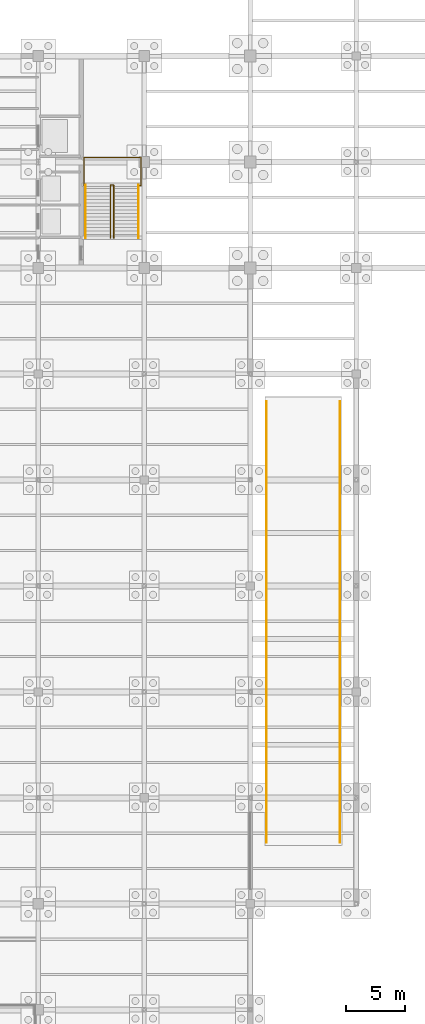
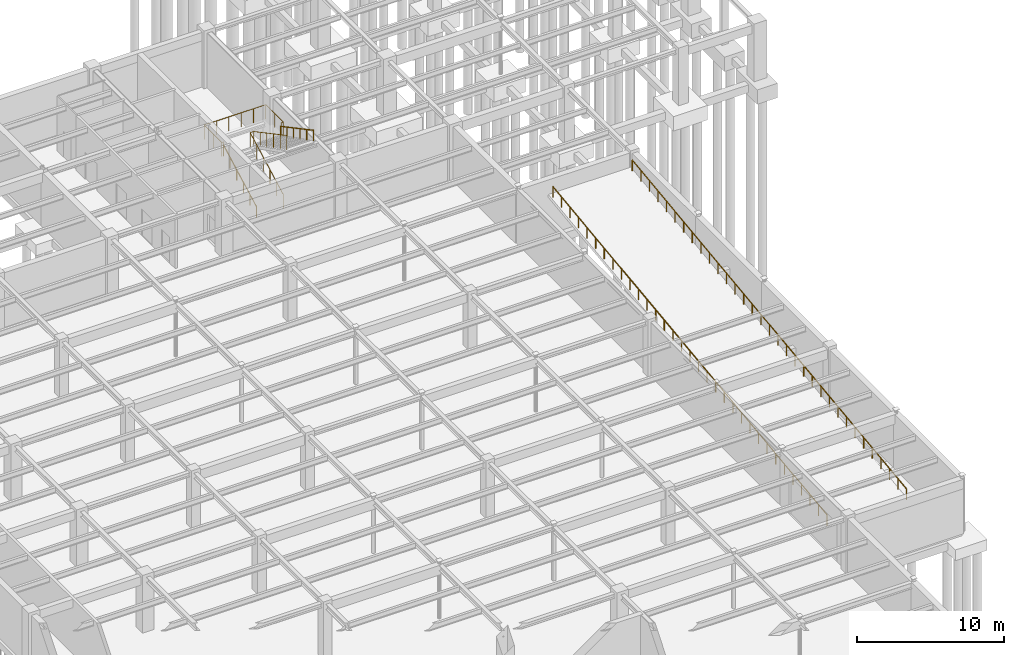
# One storey, part 48 of 49: 6 railings.
"""IFC4 building model written with IfcOpenShell, lengths in metres."""

from ifc_helpers import new_model, si_unit, direction, frame, origin, origin_2d, place, context, subcontext, project, spatial, circle, extrude, material, type_object, element, save


model = new_model("IFC4")

# Units and contexts
model_context = context("Model", 3, precision=1e-05, world=origin(), true_north=direction((0.0, 1.0)))
body_context = subcontext(model_context, "Body", "Model", "MODEL_VIEW")
ifc_project = project(units=[si_unit("LENGTHUNIT", "METRE"), si_unit("AREAUNIT", "SQUARE_METRE"), si_unit("VOLUMEUNIT", "CUBIC_METRE"), si_unit("PLANEANGLEUNIT", "RADIAN"), si_unit("MASSUNIT", "GRAM", prefix="KILO")], contexts=[model_context])

# Site, building, storey
site_placement = place(None, origin())
site = spatial("IfcSite", under=ifc_project, at=site_placement, CompositionType="ELEMENT")
building_placement = place(site_placement, origin())
building = spatial("IfcBuilding", under=site, at=building_placement, Name="Lykobir Media Centre", CompositionType="ELEMENT")
storey_placement = place(building_placement, frame((0.0, 0.0, -4.800048828125)))
storey = spatial("IfcBuildingStorey", under=building, at=storey_placement, Name="B1", CompositionType="ELEMENT", Elevation=-4.800048828125)

# Railings
ifc_material = material(Name="Steel S355", Category="steel")
railing_type_1 = type_object("IfcRailingType", Name="GR-1200", PredefinedType="BALUSTRADE", material=ifc_material)
railing_1_placement = place(storey_placement, frame((132.1298828125, 74.530029296875, 0.0)))
element("IfcRailing", 1, at=railing_1_placement, inside=storey, type_object=railing_type_1, Name="ST-4 B1 inner well and slot guard", PredefinedType="BALUSTRADE", context=body_context, shape_type="SweptSolid", body=[
    extrude(circle(Radius=0.02392578125, at=origin_2d()), frame((0.0, 0.0, 1.17578125), z_axis=(0.0, 0.882341014787, 0.470610596591), x_axis=(-1.0, 0.0, 0.0)), (0.0, 0.0, 1.0), 5.10009765625),
    extrude(circle(Radius=0.02392578125, at=origin_2d()), frame((0.0, 4.5, 3.576171875), z_axis=(1.0, 0.0, 0.0), x_axis=(0.0, 1.0, 0.0)), (0.0, 0.0, 1.0), 0.280029296875),
    extrude(circle(Radius=0.02392578125, at=origin_2d()), frame((0.280029296875, 4.5, 3.576171875), z_axis=(0.0, -0.882360891967, 0.470573327259), x_axis=(1.0, 0.0, 0.0)), (0.0, 0.0, 1.0), 5.099853515625),
    extrude(circle(Radius=0.02099609375, at=origin_2d()), origin(), (0.0, 0.0, 1.0), 1.15185546875),
    extrude(circle(Radius=0.02099609375, at=origin_2d()), frame((0.0, 0.89990234375, 0.47998046875)), (0.0, 0.0, 1.0), 1.15185546875),
    extrude(circle(Radius=0.02099609375, at=origin_2d()), frame((0.0, 1.800048828125, 0.9599609375)), (0.0, 0.0, 1.0), 1.15185546875),
    extrude(circle(Radius=0.02099609375, at=origin_2d()), frame((0.0, 2.699951171875, 1.440185546875)), (0.0, 0.0, 1.0), 1.15185546875),
    extrude(circle(Radius=0.02099609375, at=origin_2d()), frame((0.0, 3.60009765625, 1.920166015625)), (0.0, 0.0, 1.0), 1.15185546875),
    extrude(circle(Radius=0.02099609375, at=origin_2d()), frame((0.0, 4.5, 2.400146484375)), (0.0, 0.0, 1.0), 1.15185546875),
    extrude(circle(Radius=0.02099609375, at=origin_2d()), frame((0.280029296875, 4.5, 2.400146484375)), (0.0, 0.0, 1.0), 1.15185546875),
    extrude(circle(Radius=0.02099609375, at=origin_2d()), frame((0.280029296875, 3.60009765625, 2.880126953125)), (0.0, 0.0, 1.0), 1.15185546875),
    extrude(circle(Radius=0.02099609375, at=origin_2d()), frame((0.280029296875, 2.699951171875, 3.360107421875)), (0.0, 0.0, 1.0), 1.15185546875),
    extrude(circle(Radius=0.02099609375, at=origin_2d()), frame((0.280029296875, 1.800048828125, 3.840087890625)), (0.0, 0.0, 1.0), 1.15185546875),
    extrude(circle(Radius=0.02099609375, at=origin_2d()), frame((0.280029296875, 0.89990234375, 4.320068359375)), (0.0, 0.0, 1.0), 1.15185546875),
    extrude(circle(Radius=0.02099609375, at=origin_2d()), frame((0.280029296875, 0.0, 4.800048828125)), (0.0, 0.0, 1.0), 1.15185546875),
])
railing_2_placement = place(storey_placement, frame((129.989990234375, 78.989990234375, 2.400146484375)))
element("IfcRailing", 2, at=railing_2_placement, inside=storey, type_object=railing_type_1, Name="ST-4 B1 half-landing perimeter guard", PredefinedType="BALUSTRADE", context=body_context, shape_type="SweptSolid", body=[
    extrude(circle(Radius=0.02392578125, at=origin_2d()), frame((0.0, 0.0, 1.17578125), z_axis=(-1.0, 0.0, 0.0), x_axis=(0.0, -1.0, 0.0)), (0.0, 0.0, 1.0), 0.110107421875),
    extrude(circle(Radius=0.02392578125, at=origin_2d()), frame((-0.110107421875, 0.0, 1.17578125), z_axis=(0.0, 1.0, 0.0), x_axis=(-1.0, 0.0, 0.0)), (0.0, 0.0, 1.0), 2.39990234375),
    extrude(circle(Radius=0.02392578125, at=origin_2d()), frame((-0.110107421875, 2.39990234375, 1.17578125), z_axis=(1.0, 0.0, 0.0), x_axis=(0.0, 1.0, 0.0)), (0.0, 0.0, 1.0), 4.840087890625),
    extrude(circle(Radius=0.02392578125, at=origin_2d()), frame((4.72998046875, 2.39990234375, 1.17578125), z_axis=(0.0, -1.0, 0.0), x_axis=(1.0, 0.0, 0.0)), (0.0, 0.0, 1.0), 2.39990234375),
    extrude(circle(Radius=0.02392578125, at=origin_2d()), frame((4.72998046875, 0.0, 1.17578125), z_axis=(-1.0, 0.0, 0.0), x_axis=(0.0, -1.0, 0.0)), (0.0, 0.0, 1.0), 0.169921875),
    extrude(circle(Radius=0.02099609375, at=origin_2d()), origin(), (0.0, 0.0, 1.0), 1.15185546875),
    extrude(circle(Radius=0.02099609375, at=origin_2d()), frame((-0.110107421875, 0.0, 0.0)), (0.0, 0.0, 1.0), 1.15185546875),
    extrude(circle(Radius=0.02099609375, at=origin_2d()), frame((-0.110107421875, 1.199951171875, 0.0)), (0.0, 0.0, 1.0), 1.15185546875),
    extrude(circle(Radius=0.02099609375, at=origin_2d()), frame((-0.110107421875, 2.39990234375, 0.0)), (0.0, 0.0, 1.0), 1.15185546875),
    extrude(circle(Radius=0.02099609375, at=origin_2d()), frame((0.85791015625, 2.39990234375, 0.0)), (0.0, 0.0, 1.0), 1.15185546875),
    extrude(circle(Radius=0.02099609375, at=origin_2d()), frame((1.825927734375, 2.39990234375, 0.0)), (0.0, 0.0, 1.0), 1.15185546875),
    extrude(circle(Radius=0.02099609375, at=origin_2d()), frame((2.7939453125, 2.39990234375, 0.0)), (0.0, 0.0, 1.0), 1.15185546875),
    extrude(circle(Radius=0.02099609375, at=origin_2d()), frame((3.761962890625, 2.39990234375, 0.0)), (0.0, 0.0, 1.0), 1.15185546875),
    extrude(circle(Radius=0.02099609375, at=origin_2d()), frame((4.72998046875, 2.39990234375, 0.0)), (0.0, 0.0, 1.0), 1.15185546875),
    extrude(circle(Radius=0.02099609375, at=origin_2d()), frame((4.72998046875, 1.199951171875, 0.0)), (0.0, 0.0, 1.0), 1.15185546875),
    extrude(circle(Radius=0.02099609375, at=origin_2d()), frame((4.72998046875, 0.0, 0.0)), (0.0, 0.0, 1.0), 1.15185546875),
    extrude(circle(Radius=0.02099609375, at=origin_2d()), frame((4.56005859375, 0.0, 0.0)), (0.0, 0.0, 1.0), 1.15185546875),
])
railing_type_2 = type_object("IfcRailingType", Name="HR-0900", PredefinedType="HANDRAIL", material=ifc_material)
railing_3_placement = place(storey_placement, frame((130.030029296875, 74.530029296875, 0.0)))
element("IfcRailing", 3, at=railing_3_placement, inside=storey, type_object=railing_type_2, Name="ST-4 B1 F1 wall handrail", PredefinedType="HANDRAIL", context=body_context, shape_type="SweptSolid", body=[
    extrude(circle(Radius=0.02392578125, at=origin_2d()), frame((0.0, 0.0, 0.8759765625), z_axis=(0.0, 0.882341014787, 0.470610596591), x_axis=(-1.0, 0.0, 0.0)), (0.0, 0.0, 1.0), 5.10009765625),
    extrude(circle(Radius=0.02099609375, at=origin_2d()), origin(), (0.0, 0.0, 1.0), 0.851806640625),
    extrude(circle(Radius=0.02099609375, at=origin_2d()), frame((0.0, 0.89990234375, 0.47998046875)), (0.0, 0.0, 1.0), 0.851806640625),
    extrude(circle(Radius=0.02099609375, at=origin_2d()), frame((0.0, 1.800048828125, 0.9599609375)), (0.0, 0.0, 1.0), 0.851806640625),
    extrude(circle(Radius=0.02099609375, at=origin_2d()), frame((0.0, 2.699951171875, 1.440185546875)), (0.0, 0.0, 1.0), 0.851806640625),
    extrude(circle(Radius=0.02099609375, at=origin_2d()), frame((0.0, 3.60009765625, 1.920166015625)), (0.0, 0.0, 1.0), 0.851806640625),
    extrude(circle(Radius=0.02099609375, at=origin_2d()), frame((0.0, 4.5, 2.400146484375)), (0.0, 0.0, 1.0), 0.851806640625),
])
railing_4_placement = place(storey_placement, frame((134.510009765625, 79.030029296875, 2.400146484375)))
element("IfcRailing", 4, at=railing_4_placement, inside=storey, type_object=railing_type_2, Name="ST-4 B1 F2 wall handrail", PredefinedType="HANDRAIL", context=body_context, shape_type="SweptSolid", body=[
    extrude(circle(Radius=0.02392578125, at=origin_2d()), frame((0.0, 0.0, 0.8759765625), z_axis=(0.0, -0.882360891967, 0.470573327259), x_axis=(1.0, 0.0, 0.0)), (0.0, 0.0, 1.0), 5.099853515625),
    extrude(circle(Radius=0.02099609375, at=origin_2d()), origin(), (0.0, 0.0, 1.0), 0.851806640625),
    extrude(circle(Radius=0.02099609375, at=origin_2d()), frame((0.0, -0.89990234375, 0.47998046875)), (0.0, 0.0, 1.0), 0.851806640625),
    extrude(circle(Radius=0.02099609375, at=origin_2d()), frame((0.0, -1.800048828125, 0.9599609375)), (0.0, 0.0, 1.0), 0.851806640625),
    extrude(circle(Radius=0.02099609375, at=origin_2d()), frame((0.0, -2.699951171875, 1.43994140625)), (0.0, 0.0, 1.0), 0.851806640625),
    extrude(circle(Radius=0.02099609375, at=origin_2d()), frame((0.0, -3.60009765625, 1.919921875)), (0.0, 0.0, 1.0), 0.851806640625),
    extrude(circle(Radius=0.02099609375, at=origin_2d()), frame((0.0, -4.5, 2.39990234375)), (0.0, 0.0, 1.0), 0.851806640625),
])
railing_5_placement = place(storey_placement, frame((145.3701171875, 23.199951171875, 0.050048828125)))
element("IfcRailing", 5, at=railing_5_placement, inside=storey, type_object=railing_type_2, Name="Vehicle ramp west handrail", PredefinedType="HANDRAIL", context=body_context, shape_type="SweptSolid", body=[
    extrude(circle(Radius=0.02392578125, at=origin_2d()), frame((0.0, 0.0, 0.8759765625), z_axis=(0.0, 0.992282155486, 0.124000499615), x_axis=(-1.0, 0.0, 0.0)), (0.0, 0.0, 1.0), 37.7412109375),
    extrude(circle(Radius=0.02099609375, at=origin_2d()), origin(), (0.0, 0.0, 1.0), 0.851806640625),
    extrude(circle(Radius=0.02099609375, at=origin_2d()), frame((0.0, 1.17041015625, 0.146240234375)), (0.0, 0.0, 1.0), 0.851806640625),
    extrude(circle(Radius=0.02099609375, at=origin_2d()), frame((0.0, 2.340576171875, 0.29248046875)), (0.0, 0.0, 1.0), 0.851806640625),
    extrude(circle(Radius=0.02099609375, at=origin_2d()), frame((0.0, 3.510986328125, 0.438720703125)), (0.0, 0.0, 1.0), 0.851806640625),
    extrude(circle(Radius=0.02099609375, at=origin_2d()), frame((0.0, 4.68115234375, 0.5849609375)), (0.0, 0.0, 1.0), 0.851806640625),
    extrude(circle(Radius=0.02099609375, at=origin_2d()), frame((0.0, 5.8515625, 0.731201171875)), (0.0, 0.0, 1.0), 0.851806640625),
    extrude(circle(Radius=0.02099609375, at=origin_2d()), frame((0.0, 7.02197265625, 0.87744140625)), (0.0, 0.0, 1.0), 0.851806640625),
    extrude(circle(Radius=0.02099609375, at=origin_2d()), frame((0.0, 8.192138671875, 1.023681640625)), (0.0, 0.0, 1.0), 0.851806640625),
    extrude(circle(Radius=0.02099609375, at=origin_2d()), frame((0.0, 9.362548828125, 1.169921875)), (0.0, 0.0, 1.0), 0.851806640625),
    extrude(circle(Radius=0.02099609375, at=origin_2d()), frame((0.0, 10.53271484375, 1.316162109375)), (0.0, 0.0, 1.0), 0.851806640625),
    extrude(circle(Radius=0.02099609375, at=origin_2d()), frame((0.0, 11.703125, 1.46240234375)), (0.0, 0.0, 1.0), 0.851806640625),
    extrude(circle(Radius=0.02099609375, at=origin_2d()), frame((0.0, 12.87353515625, 1.608642578125)), (0.0, 0.0, 1.0), 0.851806640625),
    extrude(circle(Radius=0.02099609375, at=origin_2d()), frame((0.0, 14.043701171875, 1.7548828125)), (0.0, 0.0, 1.0), 0.851806640625),
    extrude(circle(Radius=0.02099609375, at=origin_2d()), frame((0.0, 15.214111328125, 1.901123046875)), (0.0, 0.0, 1.0), 0.851806640625),
    extrude(circle(Radius=0.02099609375, at=origin_2d()), frame((0.0, 16.38427734375, 2.04736328125)), (0.0, 0.0, 1.0), 0.851806640625),
    extrude(circle(Radius=0.02099609375, at=origin_2d()), frame((0.0, 17.5546875, 2.193603515625)), (0.0, 0.0, 1.0), 0.851806640625),
    extrude(circle(Radius=0.02099609375, at=origin_2d()), frame((0.0, 18.72509765625, 2.33984375)), (0.0, 0.0, 1.0), 0.851806640625),
    extrude(circle(Radius=0.02099609375, at=origin_2d()), frame((0.0, 19.895263671875, 2.486328125)), (0.0, 0.0, 1.0), 0.851806640625),
    extrude(circle(Radius=0.02099609375, at=origin_2d()), frame((0.0, 21.065673828125, 2.632568359375)), (0.0, 0.0, 1.0), 0.851806640625),
    extrude(circle(Radius=0.02099609375, at=origin_2d()), frame((0.0, 22.23583984375, 2.77880859375)), (0.0, 0.0, 1.0), 0.851806640625),
    extrude(circle(Radius=0.02099609375, at=origin_2d()), frame((0.0, 23.40625, 2.925048828125)), (0.0, 0.0, 1.0), 0.851806640625),
    extrude(circle(Radius=0.02099609375, at=origin_2d()), frame((0.0, 24.576416015625, 3.0712890625)), (0.0, 0.0, 1.0), 0.851806640625),
    extrude(circle(Radius=0.02099609375, at=origin_2d()), frame((0.0, 25.746826171875, 3.217529296875)), (0.0, 0.0, 1.0), 0.851806640625),
    extrude(circle(Radius=0.02099609375, at=origin_2d()), frame((0.0, 26.917236328125, 3.36376953125)), (0.0, 0.0, 1.0), 0.851806640625),
    extrude(circle(Radius=0.02099609375, at=origin_2d()), frame((0.0, 28.08740234375, 3.510009765625)), (0.0, 0.0, 1.0), 0.851806640625),
    extrude(circle(Radius=0.02099609375, at=origin_2d()), frame((0.0, 29.2578125, 3.65625)), (0.0, 0.0, 1.0), 0.851806640625),
    extrude(circle(Radius=0.02099609375, at=origin_2d()), frame((0.0, 30.427978515625, 3.802490234375)), (0.0, 0.0, 1.0), 0.851806640625),
    extrude(circle(Radius=0.02099609375, at=origin_2d()), frame((0.0, 31.598388671875, 3.94873046875)), (0.0, 0.0, 1.0), 0.851806640625),
    extrude(circle(Radius=0.02099609375, at=origin_2d()), frame((0.0, 32.768798828125, 4.094970703125)), (0.0, 0.0, 1.0), 0.851806640625),
    extrude(circle(Radius=0.02099609375, at=origin_2d()), frame((0.0, 33.93896484375, 4.2412109375)), (0.0, 0.0, 1.0), 0.851806640625),
    extrude(circle(Radius=0.02099609375, at=origin_2d()), frame((0.0, 35.109375, 4.387451171875)), (0.0, 0.0, 1.0), 0.851806640625),
    extrude(circle(Radius=0.02099609375, at=origin_2d()), frame((0.0, 36.279541015625, 4.53369140625)), (0.0, 0.0, 1.0), 0.851806640625),
    extrude(circle(Radius=0.02099609375, at=origin_2d()), frame((0.0, 37.449951171875, 4.679931640625)), (0.0, 0.0, 1.0), 0.851806640625),
])
railing_6_placement = place(storey_placement, frame((151.6298828125, 23.199951171875, 0.050048828125)))
element("IfcRailing", 6, at=railing_6_placement, inside=storey, type_object=railing_type_2, Name="Vehicle ramp east handrail", PredefinedType="HANDRAIL", context=body_context, shape_type="SweptSolid", body=[
    extrude(circle(Radius=0.02392578125, at=origin_2d()), frame((0.0, 0.0, 0.8759765625), z_axis=(0.0, 0.992282155486, 0.124000499615), x_axis=(-1.0, 0.0, 0.0)), (0.0, 0.0, 1.0), 37.7412109375),
    extrude(circle(Radius=0.02099609375, at=origin_2d()), origin(), (0.0, 0.0, 1.0), 0.851806640625),
    extrude(circle(Radius=0.02099609375, at=origin_2d()), frame((0.0, 1.17041015625, 0.146240234375)), (0.0, 0.0, 1.0), 0.851806640625),
    extrude(circle(Radius=0.02099609375, at=origin_2d()), frame((0.0, 2.340576171875, 0.29248046875)), (0.0, 0.0, 1.0), 0.851806640625),
    extrude(circle(Radius=0.02099609375, at=origin_2d()), frame((0.0, 3.510986328125, 0.438720703125)), (0.0, 0.0, 1.0), 0.851806640625),
    extrude(circle(Radius=0.02099609375, at=origin_2d()), frame((0.0, 4.68115234375, 0.5849609375)), (0.0, 0.0, 1.0), 0.851806640625),
    extrude(circle(Radius=0.02099609375, at=origin_2d()), frame((0.0, 5.8515625, 0.731201171875)), (0.0, 0.0, 1.0), 0.851806640625),
    extrude(circle(Radius=0.02099609375, at=origin_2d()), frame((0.0, 7.02197265625, 0.87744140625)), (0.0, 0.0, 1.0), 0.851806640625),
    extrude(circle(Radius=0.02099609375, at=origin_2d()), frame((0.0, 8.192138671875, 1.023681640625)), (0.0, 0.0, 1.0), 0.851806640625),
    extrude(circle(Radius=0.02099609375, at=origin_2d()), frame((0.0, 9.362548828125, 1.169921875)), (0.0, 0.0, 1.0), 0.851806640625),
    extrude(circle(Radius=0.02099609375, at=origin_2d()), frame((0.0, 10.53271484375, 1.316162109375)), (0.0, 0.0, 1.0), 0.851806640625),
    extrude(circle(Radius=0.02099609375, at=origin_2d()), frame((0.0, 11.703125, 1.46240234375)), (0.0, 0.0, 1.0), 0.851806640625),
    extrude(circle(Radius=0.02099609375, at=origin_2d()), frame((0.0, 12.87353515625, 1.608642578125)), (0.0, 0.0, 1.0), 0.851806640625),
    extrude(circle(Radius=0.02099609375, at=origin_2d()), frame((0.0, 14.043701171875, 1.7548828125)), (0.0, 0.0, 1.0), 0.851806640625),
    extrude(circle(Radius=0.02099609375, at=origin_2d()), frame((0.0, 15.214111328125, 1.901123046875)), (0.0, 0.0, 1.0), 0.851806640625),
    extrude(circle(Radius=0.02099609375, at=origin_2d()), frame((0.0, 16.38427734375, 2.04736328125)), (0.0, 0.0, 1.0), 0.851806640625),
    extrude(circle(Radius=0.02099609375, at=origin_2d()), frame((0.0, 17.5546875, 2.193603515625)), (0.0, 0.0, 1.0), 0.851806640625),
    extrude(circle(Radius=0.02099609375, at=origin_2d()), frame((0.0, 18.72509765625, 2.33984375)), (0.0, 0.0, 1.0), 0.851806640625),
    extrude(circle(Radius=0.02099609375, at=origin_2d()), frame((0.0, 19.895263671875, 2.486328125)), (0.0, 0.0, 1.0), 0.851806640625),
    extrude(circle(Radius=0.02099609375, at=origin_2d()), frame((0.0, 21.065673828125, 2.632568359375)), (0.0, 0.0, 1.0), 0.851806640625),
    extrude(circle(Radius=0.02099609375, at=origin_2d()), frame((0.0, 22.23583984375, 2.77880859375)), (0.0, 0.0, 1.0), 0.851806640625),
    extrude(circle(Radius=0.02099609375, at=origin_2d()), frame((0.0, 23.40625, 2.925048828125)), (0.0, 0.0, 1.0), 0.851806640625),
    extrude(circle(Radius=0.02099609375, at=origin_2d()), frame((0.0, 24.576416015625, 3.0712890625)), (0.0, 0.0, 1.0), 0.851806640625),
    extrude(circle(Radius=0.02099609375, at=origin_2d()), frame((0.0, 25.746826171875, 3.217529296875)), (0.0, 0.0, 1.0), 0.851806640625),
    extrude(circle(Radius=0.02099609375, at=origin_2d()), frame((0.0, 26.917236328125, 3.36376953125)), (0.0, 0.0, 1.0), 0.851806640625),
    extrude(circle(Radius=0.02099609375, at=origin_2d()), frame((0.0, 28.08740234375, 3.510009765625)), (0.0, 0.0, 1.0), 0.851806640625),
    extrude(circle(Radius=0.02099609375, at=origin_2d()), frame((0.0, 29.2578125, 3.65625)), (0.0, 0.0, 1.0), 0.851806640625),
    extrude(circle(Radius=0.02099609375, at=origin_2d()), frame((0.0, 30.427978515625, 3.802490234375)), (0.0, 0.0, 1.0), 0.851806640625),
    extrude(circle(Radius=0.02099609375, at=origin_2d()), frame((0.0, 31.598388671875, 3.94873046875)), (0.0, 0.0, 1.0), 0.851806640625),
    extrude(circle(Radius=0.02099609375, at=origin_2d()), frame((0.0, 32.768798828125, 4.094970703125)), (0.0, 0.0, 1.0), 0.851806640625),
    extrude(circle(Radius=0.02099609375, at=origin_2d()), frame((0.0, 33.93896484375, 4.2412109375)), (0.0, 0.0, 1.0), 0.851806640625),
    extrude(circle(Radius=0.02099609375, at=origin_2d()), frame((0.0, 35.109375, 4.387451171875)), (0.0, 0.0, 1.0), 0.851806640625),
    extrude(circle(Radius=0.02099609375, at=origin_2d()), frame((0.0, 36.279541015625, 4.53369140625)), (0.0, 0.0, 1.0), 0.851806640625),
    extrude(circle(Radius=0.02099609375, at=origin_2d()), frame((0.0, 37.449951171875, 4.679931640625)), (0.0, 0.0, 1.0), 0.851806640625),
])

save(model, "model.ifc")
